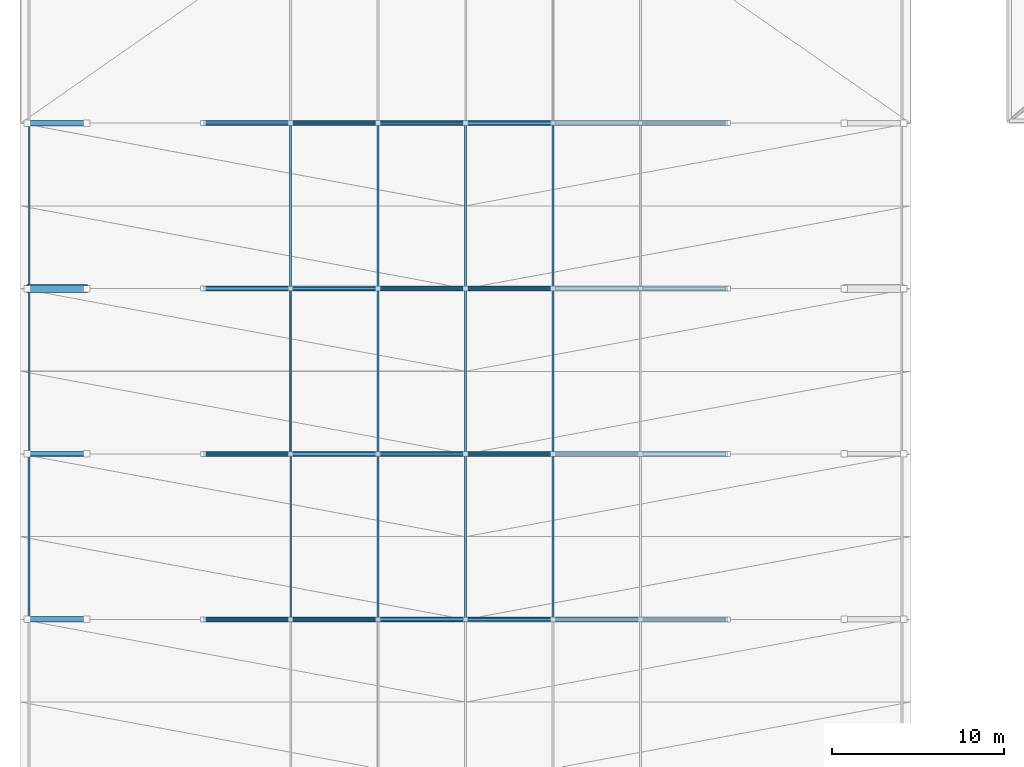
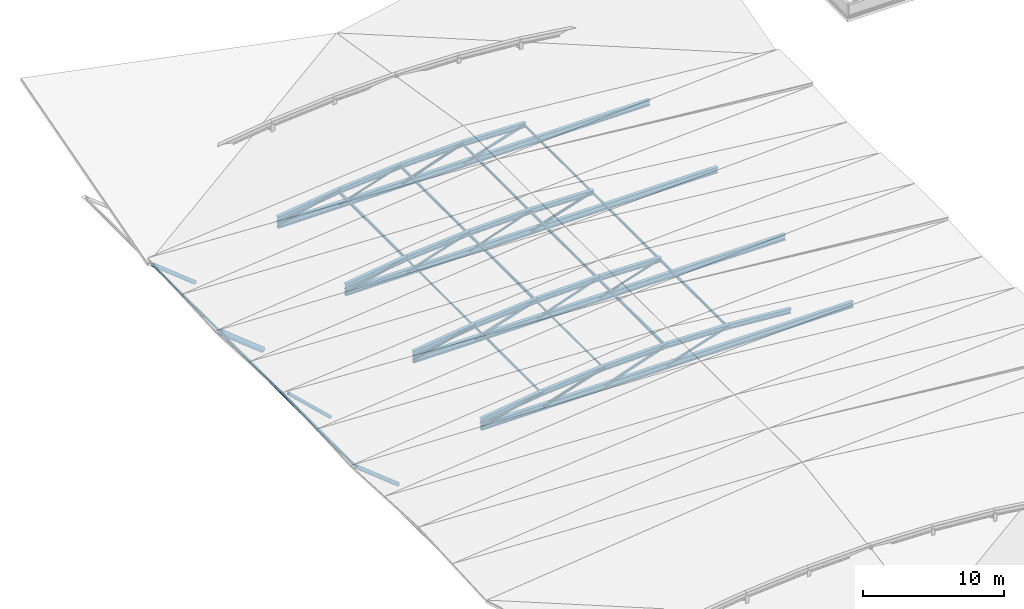
# One storey, part 7 of 16: 56 members.
"""IFC4 building model written with IfcOpenShell, lengths in metres."""

from ifc_helpers import new_model, si_unit, direction, frame, origin, origin_2d, place, context, subcontext, project, spatial, hollow_rectangle, hollow_circle, i_section, extrude, material, material_profile, profile_set, type_object, element, save


model = new_model("IFC4")

# Units and contexts
model_context = context("Model", 3, precision=1e-05, world=origin(), true_north=direction((0.0, 1.0)))
body_context = subcontext(model_context, "Body", "Model", "MODEL_VIEW")
ifc_project = project(units=[si_unit("LENGTHUNIT", "METRE"), si_unit("AREAUNIT", "SQUARE_METRE"), si_unit("VOLUMEUNIT", "CUBIC_METRE"), si_unit("PLANEANGLEUNIT", "RADIAN"), si_unit("MASSUNIT", "GRAM", prefix="KILO")], contexts=[model_context])

# Site, building, storey
site_placement = place(None, origin())
site = spatial("IfcSite", under=ifc_project, at=site_placement, CompositionType="ELEMENT")
building_placement = place(site_placement, origin())
building = spatial("IfcBuilding", under=site, at=building_placement, Name="Myrtia Square Station", CompositionType="ELEMENT")
storey_placement = place(building_placement, frame((0.0, 0.0, 22.800048828125)))
storey = spatial("IfcBuildingStorey", under=building, at=storey_placement, Name="RF", CompositionType="ELEMENT", Elevation=22.800048828125)

# Members
ifc_material = material(Name="Steel S355", Category="steel")
ifc_material_profile_1 = material_profile(ifc_material, hollow_circle(Radius=0.084228515625, WallThickness=0.010009765625, at=origin_2d()), Name="CHS 168.3x10")
ifc_profile_set_1 = profile_set([ifc_material_profile_1], Name="Steel S355")
member_type_1 = type_object("IfcMemberType", Name="BRC-CHS168", PredefinedType="BRACE", material=ifc_profile_set_1)
member_1_placement = place(storey_placement, frame((79.35009765625, 57.60009765625, -1.449951171875), z_axis=(0.972439084039, 0.0, 0.233157088317), x_axis=(0.0, 1.0, 0.0)))
element("IfcMember", 1, at=member_1_placement, inside=storey, type_object=member_type_1, Name="Bowstring arch truss 04 web diagonal 1", PredefinedType="BRACE", context=body_context, shape_type="SweptSolid", body=[
    extrude(hollow_circle(Radius=0.084228515625, WallThickness=0.010009765625, at=origin_2d()), origin(), (0.0, 0.0, 1.0), 5.21875),
])
member_2_placement = place(storey_placement, frame((94.574951171875, 67.199951171875, -1.449951171875), z_axis=(0.952807116533, 0.0, 0.303576347371), x_axis=(0.0, 1.0, 0.0)))
element("IfcMember", 2, at=member_2_placement, inside=storey, type_object=member_type_1, Name="Bowstring arch truss 05 web diagonal 4", PredefinedType="BRACE", context=body_context, shape_type="SweptSolid", body=[
    extrude(hollow_circle(Radius=0.084228515625, WallThickness=0.010009765625, at=origin_2d()), origin(), (0.0, 0.0, 1.0), 5.326416015625),
])
member_3_placement = place(storey_placement, frame((89.5, 76.800048828125, -1.449951171875), z_axis=(0.945372015012, 0.0, 0.325993486487), x_axis=(0.0, 1.0, 0.0)))
element("IfcMember", 3, at=member_3_placement, inside=storey, type_object=member_type_1, Name="Bowstring arch truss 06 web diagonal 3", PredefinedType="BRACE", context=body_context, shape_type="SweptSolid", body=[
    extrude(hollow_circle(Radius=0.084228515625, WallThickness=0.010009765625, at=origin_2d()), origin(), (0.0, 0.0, 1.0), 5.3681640625),
])
member_4_placement = place(storey_placement, frame((84.425048828125, 86.39990234375, -1.449951171875), z_axis=(0.952807116533, 0.0, 0.303576347371), x_axis=(0.0, 1.0, 0.0)))
element("IfcMember", 4, at=member_4_placement, inside=storey, type_object=member_type_1, Name="Bowstring arch truss 07 web diagonal 2", PredefinedType="BRACE", context=body_context, shape_type="SweptSolid", body=[
    extrude(hollow_circle(Radius=0.084228515625, WallThickness=0.010009765625, at=origin_2d()), origin(), (0.0, 0.0, 1.0), 5.326416015625),
])
ifc_material_profile_2 = material_profile(ifc_material, hollow_circle(Radius=0.109619140625, WallThickness=0.012451171875, at=origin_2d()), Name="CHS 219.1x12.5")
ifc_profile_set_2 = profile_set([ifc_material_profile_2], Name="Steel S355")
member_type_2 = type_object("IfcMemberType", Name="BRC-CHS219", PredefinedType="BRACE", material=ifc_profile_set_2)
member_5_placement = place(storey_placement, frame((84.425048828125, 57.60009765625, -1.449951171875), z_axis=(0.952807116533, 0.0, 0.303576347371), x_axis=(0.0, 1.0, 0.0)))
element("IfcMember", 5, at=member_5_placement, inside=storey, type_object=member_type_2, Name="Bowstring arch truss 04 web diagonal 2", PredefinedType="BRACE", context=body_context, shape_type="SweptSolid", body=[
    extrude(hollow_circle(Radius=0.109619140625, WallThickness=0.012451171875, at=origin_2d()), origin(), (0.0, 0.0, 1.0), 5.326416015625),
])
member_6_placement = place(storey_placement, frame((79.35009765625, 67.199951171875, -1.449951171875), z_axis=(0.972439084039, 0.0, 0.233157088317), x_axis=(0.0, 1.0, 0.0)))
element("IfcMember", 6, at=member_6_placement, inside=storey, type_object=member_type_2, Name="Bowstring arch truss 05 web diagonal 1", PredefinedType="BRACE", context=body_context, shape_type="SweptSolid", body=[
    extrude(hollow_circle(Radius=0.109619140625, WallThickness=0.012451171875, at=origin_2d()), origin(), (0.0, 0.0, 1.0), 5.21875),
])
member_7_placement = place(storey_placement, frame((94.574951171875, 76.800048828125, -1.449951171875), z_axis=(0.952807116533, 0.0, 0.303576347371), x_axis=(0.0, 1.0, 0.0)))
element("IfcMember", 7, at=member_7_placement, inside=storey, type_object=member_type_2, Name="Bowstring arch truss 06 web diagonal 4", PredefinedType="BRACE", context=body_context, shape_type="SweptSolid", body=[
    extrude(hollow_circle(Radius=0.109619140625, WallThickness=0.012451171875, at=origin_2d()), origin(), (0.0, 0.0, 1.0), 5.326416015625),
])
member_8_placement = place(storey_placement, frame((89.5, 86.39990234375, -1.449951171875), z_axis=(0.945372015012, 0.0, 0.325993486487), x_axis=(0.0, 1.0, 0.0)))
element("IfcMember", 8, at=member_8_placement, inside=storey, type_object=member_type_2, Name="Bowstring arch truss 07 web diagonal 3", PredefinedType="BRACE", context=body_context, shape_type="SweptSolid", body=[
    extrude(hollow_circle(Radius=0.109619140625, WallThickness=0.012451171875, at=origin_2d()), origin(), (0.0, 0.0, 1.0), 5.3681640625),
])
ifc_material_profile_3 = material_profile(ifc_material, hollow_rectangle(XDim=0.14990234375, YDim=0.14990234375, WallThickness=0.010009765625, InnerFilletRadius=0.010009765625, OuterFilletRadius=0.02001953125, at=origin_2d()), Name="SHS 150x150x10")
ifc_profile_set_3 = profile_set([ifc_material_profile_3], Name="Steel S355")
member_type_3 = type_object("IfcMemberType", Name="BRC-SHS150", PredefinedType="BRACE", material=ifc_profile_set_3)
member_9_placement = place(storey_placement, frame((94.574951171875, 57.60009765625, -1.449951171875), z_axis=(0.952807116533, 0.0, 0.303576347371), x_axis=(0.0, 1.0, 0.0)))
element("IfcMember", 9, at=member_9_placement, inside=storey, type_object=member_type_3, Name="Bowstring arch truss 04 web diagonal 4", PredefinedType="BRACE", context=body_context, shape_type="SweptSolid", body=[
    extrude(hollow_rectangle(XDim=0.14990234375, YDim=0.14990234375, WallThickness=0.010009765625, InnerFilletRadius=0.010009765625, OuterFilletRadius=0.02001953125, at=origin_2d()), origin(), (0.0, 0.0, 1.0), 5.326416015625),
])
member_10_placement = place(storey_placement, frame((89.5, 67.199951171875, -1.449951171875), z_axis=(0.945372015012, 0.0, 0.325993486487), x_axis=(0.0, 1.0, 0.0)))
element("IfcMember", 10, at=member_10_placement, inside=storey, type_object=member_type_3, Name="Bowstring arch truss 05 web diagonal 3", PredefinedType="BRACE", context=body_context, shape_type="SweptSolid", body=[
    extrude(hollow_rectangle(XDim=0.14990234375, YDim=0.14990234375, WallThickness=0.010009765625, InnerFilletRadius=0.010009765625, OuterFilletRadius=0.02001953125, at=origin_2d()), origin(), (0.0, 0.0, 1.0), 5.3681640625),
])
member_11_placement = place(storey_placement, frame((84.425048828125, 76.800048828125, -1.449951171875), z_axis=(0.952807116533, 0.0, 0.303576347371), x_axis=(0.0, 1.0, 0.0)))
element("IfcMember", 11, at=member_11_placement, inside=storey, type_object=member_type_3, Name="Bowstring arch truss 06 web diagonal 2", PredefinedType="BRACE", context=body_context, shape_type="SweptSolid", body=[
    extrude(hollow_rectangle(XDim=0.14990234375, YDim=0.14990234375, WallThickness=0.010009765625, InnerFilletRadius=0.010009765625, OuterFilletRadius=0.02001953125, at=origin_2d()), origin(), (0.0, 0.0, 1.0), 5.326416015625),
])
member_12_placement = place(storey_placement, frame((79.35009765625, 86.39990234375, -1.449951171875), z_axis=(0.972439084039, 0.0, 0.233157088317), x_axis=(0.0, 1.0, 0.0)))
element("IfcMember", 12, at=member_12_placement, inside=storey, type_object=member_type_3, Name="Bowstring arch truss 07 web diagonal 1", PredefinedType="BRACE", context=body_context, shape_type="SweptSolid", body=[
    extrude(hollow_rectangle(XDim=0.14990234375, YDim=0.14990234375, WallThickness=0.010009765625, InnerFilletRadius=0.010009765625, OuterFilletRadius=0.02001953125, at=origin_2d()), origin(), (0.0, 0.0, 1.0), 5.21875),
])
ifc_material_profile_4 = material_profile(ifc_material, hollow_rectangle(XDim=0.179931640625, YDim=0.179931640625, WallThickness=0.012451171875, InnerFilletRadius=0.012451171875, OuterFilletRadius=0.02490234375, at=origin_2d()), Name="SHS 180x180x12.5")
ifc_profile_set_4 = profile_set([ifc_material_profile_4], Name="Steel S355")
member_type_4 = type_object("IfcMemberType", Name="BRC-SHS180", PredefinedType="BRACE", material=ifc_profile_set_4)
member_13_placement = place(storey_placement, frame((89.5, 57.60009765625, -1.449951171875), z_axis=(0.945372015012, 0.0, 0.325993486487), x_axis=(0.0, 1.0, 0.0)))
element("IfcMember", 13, at=member_13_placement, inside=storey, type_object=member_type_4, Name="Bowstring arch truss 04 web diagonal 3", PredefinedType="BRACE", context=body_context, shape_type="SweptSolid", body=[
    extrude(hollow_rectangle(XDim=0.179931640625, YDim=0.179931640625, WallThickness=0.012451171875, InnerFilletRadius=0.012451171875, OuterFilletRadius=0.02490234375, at=origin_2d()), origin(), (0.0, 0.0, 1.0), 5.3681640625),
])
member_14_placement = place(storey_placement, frame((84.425048828125, 67.199951171875, -1.449951171875), z_axis=(0.952807116533, 0.0, 0.303576347371), x_axis=(0.0, 1.0, 0.0)))
element("IfcMember", 14, at=member_14_placement, inside=storey, type_object=member_type_4, Name="Bowstring arch truss 05 web diagonal 2", PredefinedType="BRACE", context=body_context, shape_type="SweptSolid", body=[
    extrude(hollow_rectangle(XDim=0.179931640625, YDim=0.179931640625, WallThickness=0.012451171875, InnerFilletRadius=0.012451171875, OuterFilletRadius=0.02490234375, at=origin_2d()), origin(), (0.0, 0.0, 1.0), 5.326416015625),
])
member_15_placement = place(storey_placement, frame((79.35009765625, 76.800048828125, -1.449951171875), z_axis=(0.972439084039, 0.0, 0.233157088317), x_axis=(0.0, 1.0, 0.0)))
element("IfcMember", 15, at=member_15_placement, inside=storey, type_object=member_type_4, Name="Bowstring arch truss 06 web diagonal 1", PredefinedType="BRACE", context=body_context, shape_type="SweptSolid", body=[
    extrude(hollow_rectangle(XDim=0.179931640625, YDim=0.179931640625, WallThickness=0.012451171875, InnerFilletRadius=0.012451171875, OuterFilletRadius=0.02490234375, at=origin_2d()), origin(), (0.0, 0.0, 1.0), 5.21875),
])
member_16_placement = place(storey_placement, frame((94.574951171875, 86.39990234375, -1.449951171875), z_axis=(0.952807116533, 0.0, 0.303576347371), x_axis=(0.0, 1.0, 0.0)))
element("IfcMember", 16, at=member_16_placement, inside=storey, type_object=member_type_4, Name="Bowstring arch truss 07 web diagonal 4", PredefinedType="BRACE", context=body_context, shape_type="SweptSolid", body=[
    extrude(hollow_rectangle(XDim=0.179931640625, YDim=0.179931640625, WallThickness=0.012451171875, InnerFilletRadius=0.012451171875, OuterFilletRadius=0.02490234375, at=origin_2d()), origin(), (0.0, 0.0, 1.0), 5.326416015625),
])
ifc_material_profile_5 = material_profile(ifc_material, i_section(OverallWidth=0.300048828125, OverallDepth=0.39990234375, WebThickness=0.013427734375, FlangeThickness=0.02392578125, FilletRadius=0.027099609375, at=origin_2d()), Name="HEB 400")
ifc_profile_set_5 = profile_set([ifc_material_profile_5], Name="Steel S355")
member_type_5 = type_object("IfcMemberType", Name="CHD-HEB400", PredefinedType="CHORD", material=ifc_profile_set_5)
member_17_placement = place(storey_placement, frame((79.35009765625, 57.60009765625, -0.900146484375), z_axis=(0.991473603665, 0.0, 0.130307686786), x_axis=(0.0, 1.0, 0.0)))
element("IfcMember", 17, at=member_17_placement, inside=storey, type_object=member_type_5, Name="Bowstring arch truss 04 arch chord 1", PredefinedType="CHORD", context=body_context, shape_type="SweptSolid", body=[
    extrude(i_section(OverallWidth=0.300048828125, OverallDepth=0.39990234375, WebThickness=0.013427734375, FlangeThickness=0.02392578125, FilletRadius=0.027099609375, at=origin_2d()), origin(), (0.0, 0.0, 1.0), 5.11865234375),
])
member_18_placement = place(storey_placement, frame((84.425048828125, 57.60009765625, -0.233154296875), z_axis=(0.996905966221, 0.0, 0.078603400136), x_axis=(0.0, 1.0, 0.0)))
element("IfcMember", 18, at=member_18_placement, inside=storey, type_object=member_type_5, Name="Bowstring arch truss 04 arch chord 2", PredefinedType="CHORD", context=body_context, shape_type="SweptSolid", body=[
    extrude(i_section(OverallWidth=0.300048828125, OverallDepth=0.39990234375, WebThickness=0.013427734375, FlangeThickness=0.02392578125, FilletRadius=0.027099609375, at=origin_2d()), origin(), (0.0, 0.0, 1.0), 5.0908203125),
])
for number, where, z_axis, x_axis, name in (
    (19, (89.5, 57.60009765625, 0.1669921875), (0.999656477216, 0.0, 0.026209302934), (0.0, 1.0, 0.0), "Bowstring arch truss 04 arch chord 3"),
    (20, (94.574951171875, 57.60009765625, 0.300048828125), (0.999656477216, 0.0, -0.026209302934), (0.0, 1.0, 0.0), "Bowstring arch truss 04 arch chord 4"),
):
    element("IfcMember", number, at=place(storey_placement, frame(where, z_axis=z_axis, x_axis=x_axis)), inside=storey, type_object=member_type_5, Name=name, PredefinedType="CHORD", context=body_context, shape_type="SweptSolid", body=[
        extrude(i_section(OverallWidth=0.300048828125, OverallDepth=0.39990234375, WebThickness=0.013427734375, FlangeThickness=0.02392578125, FilletRadius=0.027099609375, at=origin_2d()), origin(), (0.0, 0.0, 1.0), 5.07666015625),
    ])
member_19_placement = place(storey_placement, frame((99.64990234375, 57.60009765625, 0.1669921875), z_axis=(0.996906262509, 0.0, -0.078599642306), x_axis=(0.0, 1.0, 0.0)))
element("IfcMember", 21, at=member_19_placement, inside=storey, type_object=member_type_5, Name="Bowstring arch truss 04 arch chord 5", PredefinedType="CHORD", context=body_context, shape_type="SweptSolid", body=[
    extrude(i_section(OverallWidth=0.300048828125, OverallDepth=0.39990234375, WebThickness=0.013427734375, FlangeThickness=0.02392578125, FilletRadius=0.027099609375, at=origin_2d()), origin(), (0.0, 0.0, 1.0), 5.091064453125),
])
member_20_placement = place(storey_placement, frame((79.35009765625, 67.199951171875, -0.900146484375), z_axis=(0.991473603665, 0.0, 0.130307686786), x_axis=(0.0, 1.0, 0.0)))
element("IfcMember", 22, at=member_20_placement, inside=storey, type_object=member_type_5, Name="Bowstring arch truss 05 arch chord 1", PredefinedType="CHORD", context=body_context, shape_type="SweptSolid", body=[
    extrude(i_section(OverallWidth=0.300048828125, OverallDepth=0.39990234375, WebThickness=0.013427734375, FlangeThickness=0.02392578125, FilletRadius=0.027099609375, at=origin_2d()), origin(), (0.0, 0.0, 1.0), 5.11865234375),
])
member_21_placement = place(storey_placement, frame((84.425048828125, 67.199951171875, -0.233154296875), z_axis=(0.996905966221, 0.0, 0.078603400136), x_axis=(0.0, 1.0, 0.0)))
element("IfcMember", 23, at=member_21_placement, inside=storey, type_object=member_type_5, Name="Bowstring arch truss 05 arch chord 2", PredefinedType="CHORD", context=body_context, shape_type="SweptSolid", body=[
    extrude(i_section(OverallWidth=0.300048828125, OverallDepth=0.39990234375, WebThickness=0.013427734375, FlangeThickness=0.02392578125, FilletRadius=0.027099609375, at=origin_2d()), origin(), (0.0, 0.0, 1.0), 5.0908203125),
])
for number, where, z_axis, x_axis, name in (
    (24, (89.5, 67.199951171875, 0.1669921875), (0.999656477216, 0.0, 0.026209302934), (0.0, 1.0, 0.0), "Bowstring arch truss 05 arch chord 3"),
    (25, (94.574951171875, 67.199951171875, 0.300048828125), (0.999656477216, 0.0, -0.026209302934), (0.0, 1.0, 0.0), "Bowstring arch truss 05 arch chord 4"),
):
    element("IfcMember", number, at=place(storey_placement, frame(where, z_axis=z_axis, x_axis=x_axis)), inside=storey, type_object=member_type_5, Name=name, PredefinedType="CHORD", context=body_context, shape_type="SweptSolid", body=[
        extrude(i_section(OverallWidth=0.300048828125, OverallDepth=0.39990234375, WebThickness=0.013427734375, FlangeThickness=0.02392578125, FilletRadius=0.027099609375, at=origin_2d()), origin(), (0.0, 0.0, 1.0), 5.07666015625),
    ])
member_22_placement = place(storey_placement, frame((79.35009765625, 76.800048828125, -0.900146484375), z_axis=(0.991473603665, 0.0, 0.130307686786), x_axis=(0.0, 1.0, 0.0)))
element("IfcMember", 26, at=member_22_placement, inside=storey, type_object=member_type_5, Name="Bowstring arch truss 06 arch chord 1", PredefinedType="CHORD", context=body_context, shape_type="SweptSolid", body=[
    extrude(i_section(OverallWidth=0.300048828125, OverallDepth=0.39990234375, WebThickness=0.013427734375, FlangeThickness=0.02392578125, FilletRadius=0.027099609375, at=origin_2d()), origin(), (0.0, 0.0, 1.0), 5.11865234375),
])
member_23_placement = place(storey_placement, frame((84.425048828125, 76.800048828125, -0.233154296875), z_axis=(0.996905966221, 0.0, 0.078603400136), x_axis=(0.0, 1.0, 0.0)))
element("IfcMember", 27, at=member_23_placement, inside=storey, type_object=member_type_5, Name="Bowstring arch truss 06 arch chord 2", PredefinedType="CHORD", context=body_context, shape_type="SweptSolid", body=[
    extrude(i_section(OverallWidth=0.300048828125, OverallDepth=0.39990234375, WebThickness=0.013427734375, FlangeThickness=0.02392578125, FilletRadius=0.027099609375, at=origin_2d()), origin(), (0.0, 0.0, 1.0), 5.0908203125),
])
for number, where, z_axis, x_axis, name in (
    (28, (89.5, 76.800048828125, 0.1669921875), (0.999656477216, 0.0, 0.026209302934), (0.0, 1.0, 0.0), "Bowstring arch truss 06 arch chord 3"),
    (29, (94.574951171875, 76.800048828125, 0.300048828125), (0.999656477216, 0.0, -0.026209302934), (0.0, 1.0, 0.0), "Bowstring arch truss 06 arch chord 4"),
):
    element("IfcMember", number, at=place(storey_placement, frame(where, z_axis=z_axis, x_axis=x_axis)), inside=storey, type_object=member_type_5, Name=name, PredefinedType="CHORD", context=body_context, shape_type="SweptSolid", body=[
        extrude(i_section(OverallWidth=0.300048828125, OverallDepth=0.39990234375, WebThickness=0.013427734375, FlangeThickness=0.02392578125, FilletRadius=0.027099609375, at=origin_2d()), origin(), (0.0, 0.0, 1.0), 5.07666015625),
    ])
member_24_placement = place(storey_placement, frame((79.35009765625, 86.39990234375, -0.900146484375), z_axis=(0.991473603665, 0.0, 0.130307686786), x_axis=(0.0, 1.0, 0.0)))
element("IfcMember", 30, at=member_24_placement, inside=storey, type_object=member_type_5, Name="Bowstring arch truss 07 arch chord 1", PredefinedType="CHORD", context=body_context, shape_type="SweptSolid", body=[
    extrude(i_section(OverallWidth=0.300048828125, OverallDepth=0.39990234375, WebThickness=0.013427734375, FlangeThickness=0.02392578125, FilletRadius=0.027099609375, at=origin_2d()), origin(), (0.0, 0.0, 1.0), 5.11865234375),
])
member_25_placement = place(storey_placement, frame((84.425048828125, 86.39990234375, -0.233154296875), z_axis=(0.996905966221, 0.0, 0.078603400136), x_axis=(0.0, 1.0, 0.0)))
element("IfcMember", 31, at=member_25_placement, inside=storey, type_object=member_type_5, Name="Bowstring arch truss 07 arch chord 2", PredefinedType="CHORD", context=body_context, shape_type="SweptSolid", body=[
    extrude(i_section(OverallWidth=0.300048828125, OverallDepth=0.39990234375, WebThickness=0.013427734375, FlangeThickness=0.02392578125, FilletRadius=0.027099609375, at=origin_2d()), origin(), (0.0, 0.0, 1.0), 5.0908203125),
])
for number, where, z_axis, x_axis, name in (
    (32, (89.5, 86.39990234375, 0.1669921875), (0.999656477216, 0.0, 0.026209302934), (0.0, 1.0, 0.0), "Bowstring arch truss 07 arch chord 3"),
    (33, (94.574951171875, 86.39990234375, 0.300048828125), (0.999656477216, 0.0, -0.026209302934), (0.0, 1.0, 0.0), "Bowstring arch truss 07 arch chord 4"),
):
    element("IfcMember", number, at=place(storey_placement, frame(where, z_axis=z_axis, x_axis=x_axis)), inside=storey, type_object=member_type_5, Name=name, PredefinedType="CHORD", context=body_context, shape_type="SweptSolid", body=[
        extrude(i_section(OverallWidth=0.300048828125, OverallDepth=0.39990234375, WebThickness=0.013427734375, FlangeThickness=0.02392578125, FilletRadius=0.027099609375, at=origin_2d()), origin(), (0.0, 0.0, 1.0), 5.07666015625),
    ])
ifc_material_profile_6 = material_profile(ifc_material, i_section(OverallWidth=0.300048828125, OverallDepth=0.5, WebThickness=0.014404296875, FlangeThickness=0.028076171875, FilletRadius=0.027099609375, at=origin_2d()), Name="HEB 500")
ifc_profile_set_6 = profile_set([ifc_material_profile_6], Name="Steel S355")
member_type_6 = type_object("IfcMemberType", Name="CHD-HEB500", PredefinedType="CHORD", material=ifc_profile_set_6)
for number, where, z_axis, x_axis, name in (
    (34, (79.35009765625, 57.60009765625, -1.449951171875), (1.0, 0.0, 0.0), (0.0, 1.0, 0.0), "Bowstring arch truss 04 tie chord"),
    (35, (79.35009765625, 67.199951171875, -1.449951171875), (1.0, 0.0, 0.0), (0.0, 1.0, 0.0), "Bowstring arch truss 05 tie chord"),
    (36, (79.35009765625, 76.800048828125, -1.449951171875), (1.0, 0.0, 0.0), (0.0, 1.0, 0.0), "Bowstring arch truss 06 tie chord"),
    (37, (79.35009765625, 86.39990234375, -1.449951171875), (1.0, 0.0, 0.0), (0.0, 1.0, 0.0), "Bowstring arch truss 07 tie chord"),
):
    element("IfcMember", number, at=place(storey_placement, frame(where, z_axis=z_axis, x_axis=x_axis)), inside=storey, type_object=member_type_6, Name=name, PredefinedType="CHORD", context=body_context, shape_type="SweptSolid", body=[
        extrude(i_section(OverallWidth=0.300048828125, OverallDepth=0.5, WebThickness=0.014404296875, FlangeThickness=0.028076171875, FilletRadius=0.027099609375, at=origin_2d()), origin(), (0.0, 0.0, 1.0), 30.449951171875),
    ])
ifc_material_profile_7 = material_profile(ifc_material, i_section(OverallWidth=0.091064453125, OverallDepth=0.179931640625, WebThickness=0.00537109375, FlangeThickness=0.008056640625, FilletRadius=0.009033203125, at=origin_2d()), Name="IPE 180")
ifc_profile_set_7 = profile_set([ifc_material_profile_7], Name="Steel S355")
member_type_7 = type_object("IfcMemberType", Name="PUR-IPE180", PredefinedType="PURLIN", material=ifc_profile_set_7)
for number, where, z_axis, x_axis, name in (
    (38, (99.64990234375, 76.800048828125, 0.006591796875), (0.0, 1.0, 0.0), (-1.0, 0.0, 0.0), "Folded roof purlin PUR-RF-0048"),
    (39, (69.25, 76.800048828125, -1.4599609375), (0.0, 1.0, 0.0), (-1.0, 0.0, 0.0), "Overhang eave purlin PUR-RF-0050"),
):
    element("IfcMember", number, at=place(storey_placement, frame(where, z_axis=z_axis, x_axis=x_axis)), inside=storey, type_object=member_type_7, Name=name, PredefinedType="PURLIN", context=body_context, shape_type="SweptSolid", body=[
        extrude(i_section(OverallWidth=0.091064453125, OverallDepth=0.179931640625, WebThickness=0.00537109375, FlangeThickness=0.008056640625, FilletRadius=0.009033203125, at=origin_2d()), origin(), (0.0, 0.0, 1.0), 9.599853515625),
    ])
ifc_material_profile_8 = material_profile(ifc_material, i_section(OverallWidth=0.10009765625, OverallDepth=0.199951171875, WebThickness=0.005615234375, FlangeThickness=0.008544921875, FilletRadius=0.011962890625, at=origin_2d()), Name="IPE 200")
ifc_profile_set_8 = profile_set([ifc_material_profile_8], Name="Steel S355")
member_type_8 = type_object("IfcMemberType", Name="PUR-IPE200", PredefinedType="PURLIN", material=ifc_profile_set_8)
for number, where, z_axis, x_axis, name in (
    (40, (99.64990234375, 67.199951171875, 0.006591796875), (0.0, 1.0, 0.0), (-1.0, 0.0, 0.0), "Folded roof purlin PUR-RF-0039"),
    (41, (69.25, 67.199951171875, -1.4599609375), (0.0, 1.0, 0.0), (-1.0, 0.0, 0.0), "Overhang eave purlin PUR-RF-0041"),
):
    element("IfcMember", number, at=place(storey_placement, frame(where, z_axis=z_axis, x_axis=x_axis)), inside=storey, type_object=member_type_8, Name=name, PredefinedType="PURLIN", context=body_context, shape_type="SweptSolid", body=[
        extrude(i_section(OverallWidth=0.10009765625, OverallDepth=0.199951171875, WebThickness=0.005615234375, FlangeThickness=0.008544921875, FilletRadius=0.011962890625, at=origin_2d()), origin(), (0.0, 0.0, 1.0), 9.60009765625),
    ])
member_26_placement = place(storey_placement, frame((94.574951171875, 76.800048828125, 0.139892578125), z_axis=(0.0, 1.0, 0.0), x_axis=(-1.0, 0.0, 0.0)))
element("IfcMember", 42, at=member_26_placement, inside=storey, type_object=member_type_8, Name="Folded roof purlin PUR-RF-0047", PredefinedType="PURLIN", context=body_context, shape_type="SweptSolid", body=[
    extrude(i_section(OverallWidth=0.10009765625, OverallDepth=0.199951171875, WebThickness=0.005615234375, FlangeThickness=0.008544921875, FilletRadius=0.011962890625, at=origin_2d()), origin(), (0.0, 0.0, 1.0), 9.599853515625),
])
ifc_material_profile_9 = material_profile(ifc_material, i_section(OverallWidth=0.110107421875, OverallDepth=0.219970703125, WebThickness=0.005859375, FlangeThickness=0.00927734375, FilletRadius=0.011962890625, at=origin_2d()), Name="IPE 220")
ifc_profile_set_9 = profile_set([ifc_material_profile_9], Name="Steel S355")
member_type_9 = type_object("IfcMemberType", Name="PUR-IPE220", PredefinedType="PURLIN", material=ifc_profile_set_9)
for number, where, z_axis, x_axis, name in (
    (43, (99.64990234375, 57.60009765625, 0.006591796875), (0.0, 1.0, 0.0), (-1.0, 0.0, 0.0), "Folded roof purlin PUR-RF-0030"),
    (44, (69.25, 57.60009765625, -1.4599609375), (0.0, 1.0, 0.0), (-1.0, 0.0, 0.0), "Overhang eave purlin PUR-RF-0032"),
):
    element("IfcMember", number, at=place(storey_placement, frame(where, z_axis=z_axis, x_axis=x_axis)), inside=storey, type_object=member_type_9, Name=name, PredefinedType="PURLIN", context=body_context, shape_type="SweptSolid", body=[
        extrude(i_section(OverallWidth=0.110107421875, OverallDepth=0.219970703125, WebThickness=0.005859375, FlangeThickness=0.00927734375, FilletRadius=0.011962890625, at=origin_2d()), origin(), (0.0, 0.0, 1.0), 9.599853515625),
    ])
member_27_placement = place(storey_placement, frame((94.574951171875, 67.199951171875, 0.139892578125), z_axis=(0.0, 1.0, 0.0), x_axis=(-1.0, 0.0, 0.0)))
element("IfcMember", 45, at=member_27_placement, inside=storey, type_object=member_type_9, Name="Folded roof purlin PUR-RF-0038", PredefinedType="PURLIN", context=body_context, shape_type="SweptSolid", body=[
    extrude(i_section(OverallWidth=0.110107421875, OverallDepth=0.219970703125, WebThickness=0.005859375, FlangeThickness=0.00927734375, FilletRadius=0.011962890625, at=origin_2d()), origin(), (0.0, 0.0, 1.0), 9.60009765625),
])
member_28_placement = place(storey_placement, frame((89.5, 76.800048828125, 0.006591796875), z_axis=(0.0, 1.0, 0.0), x_axis=(-1.0, 0.0, 0.0)))
element("IfcMember", 46, at=member_28_placement, inside=storey, type_object=member_type_9, Name="Folded roof purlin PUR-RF-0046", PredefinedType="PURLIN", context=body_context, shape_type="SweptSolid", body=[
    extrude(i_section(OverallWidth=0.110107421875, OverallDepth=0.219970703125, WebThickness=0.005859375, FlangeThickness=0.00927734375, FilletRadius=0.011962890625, at=origin_2d()), origin(), (0.0, 0.0, 1.0), 9.599853515625),
])
ifc_material_profile_10 = material_profile(ifc_material, i_section(OverallWidth=0.1201171875, OverallDepth=0.239990234375, WebThickness=0.006103515625, FlangeThickness=0.009765625, FilletRadius=0.014892578125, at=origin_2d()), Name="IPE 240")
ifc_profile_set_10 = profile_set([ifc_material_profile_10], Name="Steel S355")
member_type_10 = type_object("IfcMemberType", Name="PUR-IPE240", PredefinedType="PURLIN", material=ifc_profile_set_10)
member_29_placement = place(storey_placement, frame((94.574951171875, 57.60009765625, 0.139892578125), z_axis=(0.0, 1.0, 0.0), x_axis=(-1.0, 0.0, 0.0)))
element("IfcMember", 47, at=member_29_placement, inside=storey, type_object=member_type_10, Name="Folded roof purlin PUR-RF-0029", PredefinedType="PURLIN", context=body_context, shape_type="SweptSolid", body=[
    extrude(i_section(OverallWidth=0.1201171875, OverallDepth=0.239990234375, WebThickness=0.006103515625, FlangeThickness=0.009765625, FilletRadius=0.014892578125, at=origin_2d()), origin(), (0.0, 0.0, 1.0), 9.599853515625),
])
member_30_placement = place(storey_placement, frame((89.5, 67.199951171875, 0.006591796875), z_axis=(0.0, 1.0, 0.0), x_axis=(-1.0, 0.0, 0.0)))
element("IfcMember", 48, at=member_30_placement, inside=storey, type_object=member_type_10, Name="Folded roof purlin PUR-RF-0037", PredefinedType="PURLIN", context=body_context, shape_type="SweptSolid", body=[
    extrude(i_section(OverallWidth=0.1201171875, OverallDepth=0.239990234375, WebThickness=0.006103515625, FlangeThickness=0.009765625, FilletRadius=0.014892578125, at=origin_2d()), origin(), (0.0, 0.0, 1.0), 9.60009765625),
])
member_31_placement = place(storey_placement, frame((84.425048828125, 76.800048828125, -0.393310546875), z_axis=(0.0, 1.0, 0.0), x_axis=(-1.0, 0.0, 0.0)))
element("IfcMember", 49, at=member_31_placement, inside=storey, type_object=member_type_10, Name="Folded roof purlin PUR-RF-0045", PredefinedType="PURLIN", context=body_context, shape_type="SweptSolid", body=[
    extrude(i_section(OverallWidth=0.1201171875, OverallDepth=0.239990234375, WebThickness=0.006103515625, FlangeThickness=0.009765625, FilletRadius=0.014892578125, at=origin_2d()), origin(), (0.0, 0.0, 1.0), 9.599853515625),
])
ifc_material_profile_11 = material_profile(ifc_material, hollow_rectangle(XDim=0.10009765625, YDim=0.199951171875, WallThickness=0.008056640625, InnerFilletRadius=0.008056640625, OuterFilletRadius=0.01611328125, at=origin_2d()), Name="RHS 200x100x8")
ifc_profile_set_11 = profile_set([ifc_material_profile_11], Name="Steel S355")
member_type_11 = type_object("IfcMemberType", Name="PUR-RHS200", PredefinedType="PURLIN", material=ifc_profile_set_11)
member_32_placement = place(storey_placement, frame((84.425048828125, 57.60009765625, -0.393310546875), z_axis=(0.0, 1.0, 0.0), x_axis=(-1.0, 0.0, 0.0)))
element("IfcMember", 50, at=member_32_placement, inside=storey, type_object=member_type_11, Name="Folded roof purlin PUR-RF-0027", PredefinedType="PURLIN", context=body_context, shape_type="SweptSolid", body=[
    extrude(hollow_rectangle(XDim=0.10009765625, YDim=0.199951171875, WallThickness=0.008056640625, InnerFilletRadius=0.008056640625, OuterFilletRadius=0.01611328125, at=origin_2d()), origin(), (0.0, 0.0, 1.0), 9.599853515625),
])
ifc_material_profile_12 = material_profile(ifc_material, hollow_rectangle(XDim=0.1201171875, YDim=0.1201171875, WallThickness=0.008056640625, InnerFilletRadius=0.008056640625, OuterFilletRadius=0.01611328125, at=origin_2d()), Name="SHS 120x120x8")
ifc_profile_set_12 = profile_set([ifc_material_profile_12], Name="Steel S355")
member_type_12 = type_object("IfcMemberType", Name="PUR-SHS120", PredefinedType="PURLIN", material=ifc_profile_set_12)
member_33_placement = place(storey_placement, frame((89.5, 57.60009765625, 0.006591796875), z_axis=(0.0, 1.0, 0.0), x_axis=(-1.0, 0.0, 0.0)))
element("IfcMember", 51, at=member_33_placement, inside=storey, type_object=member_type_12, Name="Folded roof purlin PUR-RF-0028", PredefinedType="PURLIN", context=body_context, shape_type="SweptSolid", body=[
    extrude(hollow_rectangle(XDim=0.1201171875, YDim=0.1201171875, WallThickness=0.008056640625, InnerFilletRadius=0.008056640625, OuterFilletRadius=0.01611328125, at=origin_2d()), origin(), (0.0, 0.0, 1.0), 9.599853515625),
])
member_34_placement = place(storey_placement, frame((84.425048828125, 67.199951171875, -0.393310546875), z_axis=(0.0, 1.0, 0.0), x_axis=(-1.0, 0.0, 0.0)))
element("IfcMember", 52, at=member_34_placement, inside=storey, type_object=member_type_12, Name="Folded roof purlin PUR-RF-0036", PredefinedType="PURLIN", context=body_context, shape_type="SweptSolid", body=[
    extrude(hollow_rectangle(XDim=0.1201171875, YDim=0.1201171875, WallThickness=0.008056640625, InnerFilletRadius=0.008056640625, OuterFilletRadius=0.01611328125, at=origin_2d()), origin(), (0.0, 0.0, 1.0), 9.60009765625),
])
ifc_material_profile_13 = material_profile(ifc_material, hollow_circle(Radius=0.136474609375, WallThickness=0.01611328125, at=origin_2d()), Name="CHS 273x16")
ifc_profile_set_13 = profile_set([ifc_material_profile_13], Name="Steel S355")
member_type_13 = type_object("IfcMemberType", Name="STR-CHS273", PredefinedType="STRUT", material=ifc_profile_set_13)
member_35_placement = place(storey_placement, frame((72.60009765625, 67.199951171875, -4.050048828125), z_axis=(-0.728423911392, 0.0, 0.685126707488), x_axis=(0.0, -1.0, 0.0)))
element("IfcMember", 53, at=member_35_placement, inside=storey, type_object=member_type_13, Name="Folded roof overhang raking strut STR-UP-015", PredefinedType="STRUT", context=body_context, shape_type="SweptSolid", body=[
    extrude(hollow_circle(Radius=0.136474609375, WallThickness=0.01611328125, at=origin_2d()), origin(), (0.0, 0.0, 1.0), 4.736572265625),
])
ifc_material_profile_14 = material_profile(ifc_material, hollow_circle(Radius=0.161865234375, WallThickness=0.01611328125, at=origin_2d()), Name="CHS 323.9x16")
ifc_profile_set_14 = profile_set([ifc_material_profile_14], Name="Steel S355")
member_type_14 = type_object("IfcMemberType", Name="STR-CHS323", PredefinedType="STRUT", material=ifc_profile_set_14)
for number, where, z_axis, x_axis, name in (
    (54, (72.60009765625, 57.60009765625, -4.050048828125), (-0.782529927903, 0.0, 0.622612971224), (0.0, -1.0, 0.0), "Folded roof overhang raking strut STR-UP-011"),
    (55, (72.60009765625, 86.39990234375, -4.050048828125), (-0.782529927903, 0.0, 0.622612971224), (0.0, -1.0, 0.0), "Folded roof overhang raking strut STR-UP-023"),
):
    element("IfcMember", number, at=place(storey_placement, frame(where, z_axis=z_axis, x_axis=x_axis)), inside=storey, type_object=member_type_14, Name=name, PredefinedType="STRUT", context=body_context, shape_type="SweptSolid", body=[
        extrude(hollow_circle(Radius=0.161865234375, WallThickness=0.01611328125, at=origin_2d()), origin(), (0.0, 0.0, 1.0), 4.408935546875),
    ])
ifc_material_profile_15 = material_profile(ifc_material, hollow_circle(Radius=0.228515625, WallThickness=0.02490234375, at=origin_2d()), Name="CHS 457x25")
ifc_profile_set_15 = profile_set([ifc_material_profile_15], Name="Steel S355")
member_type_15 = type_object("IfcMemberType", Name="STR-CHS457", PredefinedType="STRUT", material=ifc_profile_set_15)
member_36_placement = place(storey_placement, frame((72.60009765625, 76.800048828125, -4.050048828125), z_axis=(-0.782529927903, 0.0, 0.622612971224), x_axis=(0.0, -1.0, 0.0)))
element("IfcMember", 56, at=member_36_placement, inside=storey, type_object=member_type_15, Name="Folded roof overhang raking strut STR-UP-019", PredefinedType="STRUT", context=body_context, shape_type="SweptSolid", body=[
    extrude(hollow_circle(Radius=0.228515625, WallThickness=0.02490234375, at=origin_2d()), origin(), (0.0, 0.0, 1.0), 4.408935546875),
])

save(model, "model.ifc")
